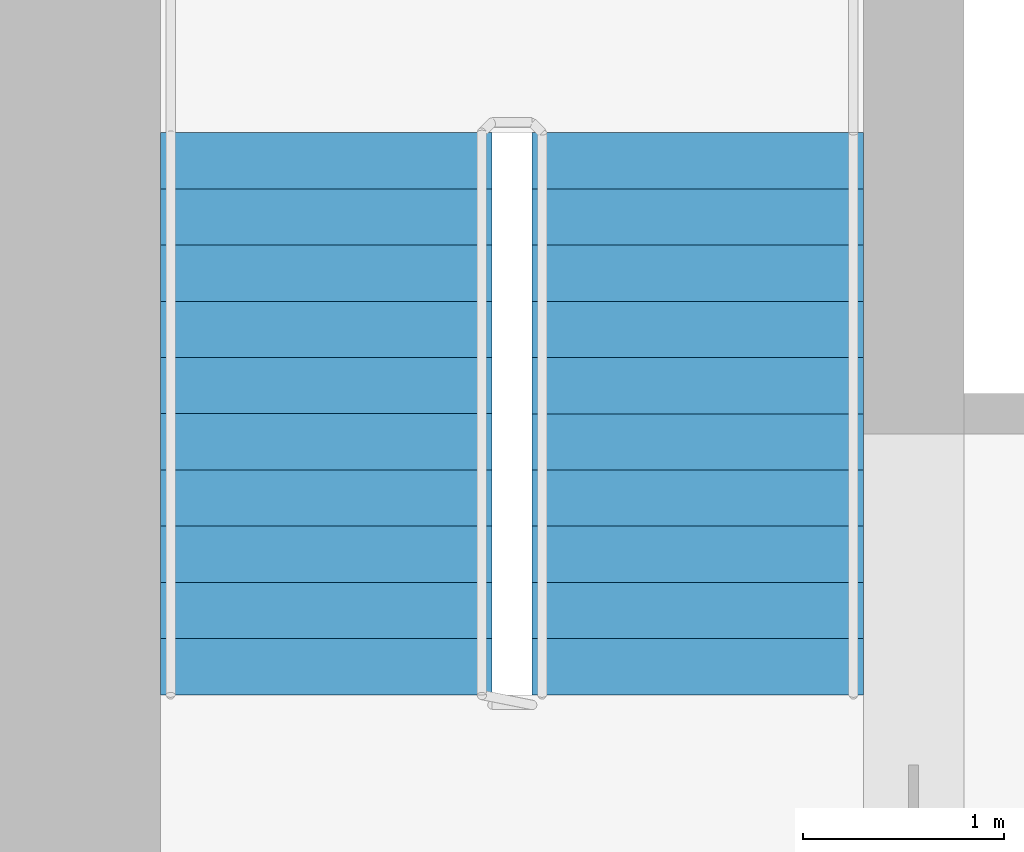
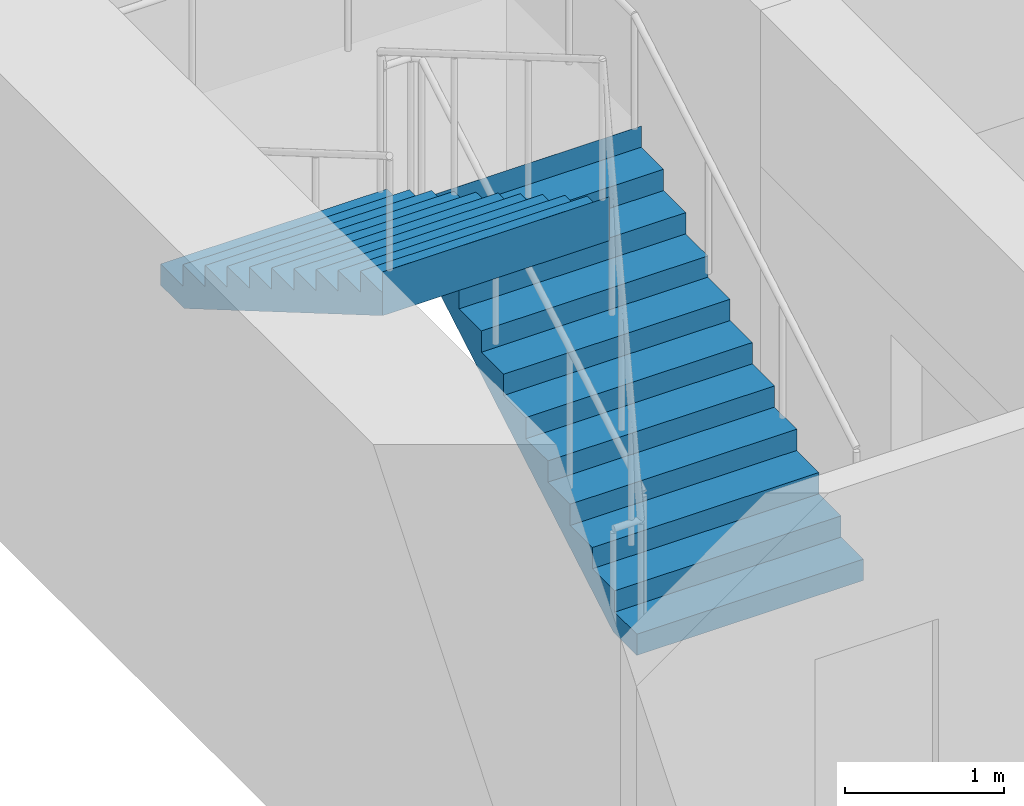
# One storey, part 13 of 14: 2 stair flights, 1 element without a shape of its own.
"""IFC4 building model written with IfcOpenShell, lengths in metres."""

from ifc_helpers import new_model, si_unit, direction, frame, origin, place, context, subcontext, project, spatial, polyline, outline, extrude, material, type_object, element, aggregate, save


model = new_model("IFC4")

# Units and contexts
model_context = context("Model", 3, precision=1e-05, world=origin(), true_north=direction((0.0, 1.0)))
body_context = subcontext(model_context, "Body", "Model", "MODEL_VIEW")
ifc_project = project(units=[si_unit("LENGTHUNIT", "METRE"), si_unit("AREAUNIT", "SQUARE_METRE"), si_unit("VOLUMEUNIT", "CUBIC_METRE"), si_unit("PLANEANGLEUNIT", "RADIAN"), si_unit("MASSUNIT", "GRAM", prefix="KILO")], contexts=[model_context])

# Site, building, storey
site_placement = place(None, origin())
site = spatial("IfcSite", under=ifc_project, at=site_placement, CompositionType="ELEMENT")
building_placement = place(site_placement, origin())
building = spatial("IfcBuilding", under=site, at=building_placement, Name="Tamorin Gate", CompositionType="ELEMENT")
storey_placement = place(building_placement, frame((0.0, 0.0, 100.699951171875)))
storey = spatial("IfcBuildingStorey", under=building, at=storey_placement, Name="L24", CompositionType="ELEMENT", Elevation=100.699951171875)

# Stair, stair flights
ifc_material = material(Name="Concrete C40/50", Category="concrete")
stair_type = type_object("IfcStairType", Name="Exit stair", PredefinedType="HALF_TURN_STAIR", material=ifc_material)
stair_placement = place(storey_placement, origin())
stair = element("IfcStair", 1, at=stair_placement, inside=storey, type_object=stair_type, Name="L24 stair ST2", PredefinedType="HALF_TURN_STAIR")
stair_flight_type = type_object("IfcStairFlightType", Name="Exit stair flight", PredefinedType="STRAIGHT", material=ifc_material)
stair_flight_1_placement = place(storey_placement, frame((33.675048828125, 77.0, 0.0), z_axis=(0.0, 0.0, 1.0), x_axis=(0.0, 1.0, 0.0)))
stair_flight_1 = element("IfcStairFlight", 2, at=stair_flight_1_placement, type_object=stair_flight_type, Name="ST2 flight 1", NumberOfRisers=11, NumberOfTreads=10, PredefinedType="STRAIGHT", RiserHeight=0.163636364, TreadLength=0.28, context=body_context, shape_type="SweptSolid", body=[
    extrude(outline(polyline([(-0.00048828125, 0.0), (-0.00048828125, 0.001708984375), (-0.00048828125, 0.003173828125), (-0.00048828125, 0.0048828125), (-0.00048828125, 0.006591796875), (-0.00048828125, 0.008056640625), (-0.00048828125, 0.009765625), (-0.00048828125, 0.01123046875), (-0.00048828125, 0.012939453125), (-0.00048828125, 0.0146484375), (-0.00048828125, 0.01611328125), (-0.00048828125, 0.017822265625), (-0.00048828125, 0.01953125), (-0.00048828125, 0.02099609375), (-0.00048828125, 0.022705078125), (-0.00048828125, 0.0244140625), (-0.00048828125, 0.02587890625), (-0.00048828125, 0.027587890625), (-0.00048828125, 0.029052734375), (-0.00048828125, 0.03076171875), (-0.00048828125, 0.032470703125), (-0.00048828125, 0.033935546875), (-0.00048828125, 0.03564453125), (-0.00048828125, 0.037353515625), (-0.00048828125, 0.038818359375), (-0.00048828125, 0.04052734375), (-0.00048828125, 0.042236328125), (-0.00048828125, 0.043701171875), (-0.00048828125, 0.04541015625), (-0.00048828125, 0.046875), (-0.00048828125, 0.048583984375), (-0.00048828125, 0.05029296875), (-0.00048828125, 0.0517578125), (-0.00048828125, 0.053466796875), (-0.00048828125, 0.05517578125), (-0.00048828125, 0.056640625), (-0.00048828125, 0.058349609375), (-0.00048828125, 0.06005859375), (-0.00048828125, 0.0615234375), (-0.00048828125, 0.063232421875), (-0.00048828125, 0.064697265625), (-0.00048828125, 0.06640625), (-0.00048828125, 0.068115234375), (-0.00048828125, 0.069580078125), (-0.00048828125, 0.0712890625), (-0.00048828125, 0.072998046875), (-0.00048828125, 0.074462890625), (-0.00048828125, 0.076171875), (-0.00048828125, 0.077880859375), (-0.00048828125, 0.079345703125), (-0.00048828125, 0.0810546875), (-0.00048828125, 0.08251953125), (-0.00048828125, 0.084228515625), (-0.00048828125, 0.0859375), (-0.00048828125, 0.08740234375), (-0.00048828125, 0.089111328125), (-0.00048828125, 0.0908203125), (-0.00048828125, 0.09228515625), (-0.00048828125, 0.093994140625), (-0.00048828125, 0.095703125), (-0.00048828125, 0.09716796875), (-0.00048828125, 0.098876953125), (-0.00048828125, 0.100341796875), (-0.00048828125, 0.10205078125), (-0.00048828125, 0.103759765625), (-0.00048828125, 0.105224609375), (-0.00048828125, 0.10693359375), (-0.00048828125, 0.108642578125), (-0.00048828125, 0.110107421875), (-0.00048828125, 0.11181640625), (-0.00048828125, 0.113525390625), (-0.00048828125, 0.114990234375), (-0.00048828125, 0.11669921875), (-0.00048828125, 0.1181640625), (-0.00048828125, 0.119873046875), (-0.00048828125, 0.12158203125), (-0.00048828125, 0.123046875), (-0.00048828125, 0.124755859375), (-0.00048828125, 0.12646484375), (-0.00048828125, 0.1279296875), (-0.00048828125, 0.129638671875), (-0.00048828125, 0.13134765625), (-0.00048828125, 0.1328125), (-0.00048828125, 0.134521484375), (-0.00048828125, 0.135986328125), (-0.00048828125, 0.1376953125), (-0.00048828125, 0.139404296875), (-0.00048828125, 0.140869140625), (-0.00048828125, 0.142578125), (-0.00048828125, 0.144287109375), (-0.00048828125, 0.145751953125), (-0.00048828125, 0.1474609375), (-0.00048828125, 0.149169921875), (-0.00048828125, 0.150634765625), (-0.00048828125, 0.15234375), (-0.00048828125, 0.15380859375), (-0.00048828125, 0.155517578125), (-0.00048828125, 0.1572265625), (-0.00048828125, 0.15869140625), (-0.00048828125, 0.160400390625), (-0.00048828125, 0.162109375), (-0.00048828125, 0.16357421875), (0.280029296875, 0.16357421875), (0.280029296875, 0.327392578125), (0.56005859375, 0.327392578125), (0.56005859375, 0.490966796875), (0.840087890625, 0.490966796875), (0.840087890625, 0.654541015625), (1.1201171875, 0.654541015625), (1.1201171875, 0.818115234375), (1.39990234375, 0.818115234375), (1.39990234375, 0.98193359375), (1.679931640625, 0.98193359375), (1.679931640625, 1.1455078125), (1.9599609375, 1.1455078125), (1.9599609375, 1.30908203125), (2.239990234375, 1.30908203125), (2.239990234375, 1.47265625), (2.52001953125, 1.47265625), (2.52001953125, 1.636474609375), (2.800048828125, 1.636474609375), (2.800048828125, 1.800048828125), (2.800537109375, 1.800048828125), (2.800537109375, 1.796630859375), (2.800537109375, 1.793212890625), (2.800537109375, 1.7900390625), (2.800537109375, 1.78662109375), (2.800537109375, 1.783203125), (2.800537109375, 1.780029296875), (2.800537109375, 1.776611328125), (2.800537109375, 1.773193359375), (2.800537109375, 1.77001953125), (2.800537109375, 1.7666015625), (2.800537109375, 1.76318359375), (2.800537109375, 1.760009765625), (2.800537109375, 1.756591796875), (2.800537109375, 1.753173828125), (2.800537109375, 1.75), (2.800537109375, 1.74658203125), (2.800537109375, 1.7431640625), (2.800537109375, 1.739990234375), (2.800537109375, 1.736572265625), (2.800537109375, 1.733154296875), (2.800537109375, 1.72998046875), (2.800537109375, 1.7265625), (2.800537109375, 1.72314453125), (2.800537109375, 1.719970703125), (2.800537109375, 1.716552734375), (2.800537109375, 1.713134765625), (2.800537109375, 1.7099609375), (2.800537109375, 1.70654296875), (2.800537109375, 1.703125), (2.800537109375, 1.69970703125), (2.800537109375, 1.696533203125), (2.800537109375, 1.693115234375), (2.800537109375, 1.689697265625), (2.800537109375, 1.6865234375), (2.800537109375, 1.68310546875), (2.800537109375, 1.6796875), (2.800537109375, 1.676513671875), (2.800537109375, 1.673095703125), (2.800537109375, 1.669677734375), (2.800537109375, 1.66650390625), (2.800537109375, 1.6630859375), (2.800537109375, 1.65966796875), (2.800537109375, 1.656494140625), (2.800537109375, 1.653076171875), (2.800537109375, 1.649658203125), (2.800537109375, 1.646484375), (2.800537109375, 1.64306640625), (2.800537109375, 1.6396484375), (2.800537109375, 1.636474609375), (2.800537109375, 1.633056640625), (2.800537109375, 1.629638671875), (2.800537109375, 1.62646484375), (2.800537109375, 1.623046875), (2.800537109375, 1.61962890625), (2.800537109375, 1.616455078125), (2.800537109375, 1.613037109375), (2.800537109375, 1.609619140625), (2.800537109375, 1.6064453125), (2.800537109375, 1.60302734375), (2.800537109375, 1.599609375), (2.800537109375, 1.59619140625), (2.800537109375, 1.593017578125), (2.800537109375, 1.589599609375), (2.800537109375, 1.586181640625), (2.800537109375, 1.5830078125), (2.800537109375, 1.57958984375), (2.800537109375, 1.576171875), (2.800537109375, 1.572998046875), (2.800537109375, 1.569580078125), (2.800537109375, 1.566162109375), (2.800537109375, 1.56298828125), (2.800537109375, 1.5595703125), (2.800537109375, 1.55615234375), (2.800537109375, 1.552978515625), (2.800537109375, 1.549560546875), (2.800537109375, 1.546142578125), (2.800537109375, 1.54296875), (2.800537109375, 1.53955078125), (2.800537109375, 1.5361328125), (2.800537109375, 1.532958984375), (2.800537109375, 1.529541015625), (2.800537109375, 1.526123046875), (2.800537109375, 1.52294921875), (2.800537109375, 1.51953125), (2.800537109375, 1.51611328125), (2.800537109375, 1.512939453125), (2.800537109375, 1.509521484375), (2.800537109375, 1.506103515625), (2.800537109375, 1.5029296875), (2.800537109375, 1.49951171875), (2.800537109375, 1.49609375), (2.800537109375, 1.49267578125), (2.800537109375, 1.489501953125), (2.800537109375, 1.486083984375), (2.800537109375, 1.482666015625), (2.800537109375, 1.4794921875), (2.800537109375, 1.47607421875), (2.800537109375, 1.47265625), (2.800537109375, 1.469482421875), (2.800537109375, 1.466064453125), (2.800537109375, 1.462646484375), (2.800048828125, 1.462646484375), (0.297119140625, 0.0), (-0.00048828125, 0.0)])), frame((0.0, 0.824951171875, 0.0), z_axis=(0.0, -1.0, 0.0), x_axis=(1.0, 0.0, 0.0)), (0.0, 0.0, 1.0), 1.64990234375),
])
stair_flight_2_placement = place(storey_placement, frame((31.824951171875, 79.800048828125, 1.800048828125), z_axis=(0.0, 0.0, 1.0), x_axis=(0.0, -1.0, 0.0)))
stair_flight_2 = element("IfcStairFlight", 3, at=stair_flight_2_placement, type_object=stair_flight_type, Name="ST2 flight 2", NumberOfRisers=11, NumberOfTreads=10, PredefinedType="STRAIGHT", RiserHeight=0.163636364, TreadLength=0.28, context=body_context, shape_type="SweptSolid", body=[
    extrude(outline(polyline([(-0.00048828125, 0.0), (-0.00048828125, 0.001708984375), (-0.00048828125, 0.003173828125), (-0.00048828125, 0.0048828125), (-0.00048828125, 0.006591796875), (-0.00048828125, 0.008056640625), (-0.00048828125, 0.009765625), (-0.00048828125, 0.01123046875), (-0.00048828125, 0.012939453125), (-0.00048828125, 0.0146484375), (-0.00048828125, 0.01611328125), (-0.00048828125, 0.017822265625), (-0.00048828125, 0.01953125), (-0.00048828125, 0.02099609375), (-0.00048828125, 0.022705078125), (-0.00048828125, 0.0244140625), (-0.00048828125, 0.02587890625), (-0.00048828125, 0.027587890625), (-0.00048828125, 0.029052734375), (-0.00048828125, 0.03076171875), (-0.00048828125, 0.032470703125), (-0.00048828125, 0.033935546875), (-0.00048828125, 0.03564453125), (-0.00048828125, 0.037353515625), (-0.00048828125, 0.038818359375), (-0.00048828125, 0.04052734375), (-0.00048828125, 0.042236328125), (-0.00048828125, 0.043701171875), (-0.00048828125, 0.04541015625), (-0.00048828125, 0.046875), (-0.00048828125, 0.048583984375), (-0.00048828125, 0.05029296875), (-0.00048828125, 0.0517578125), (-0.00048828125, 0.053466796875), (-0.00048828125, 0.05517578125), (-0.00048828125, 0.056640625), (-0.00048828125, 0.058349609375), (-0.00048828125, 0.06005859375), (-0.00048828125, 0.0615234375), (-0.00048828125, 0.063232421875), (-0.00048828125, 0.064697265625), (-0.00048828125, 0.06640625), (-0.00048828125, 0.068115234375), (-0.00048828125, 0.069580078125), (-0.00048828125, 0.0712890625), (-0.00048828125, 0.072998046875), (-0.00048828125, 0.074462890625), (-0.00048828125, 0.076171875), (-0.00048828125, 0.077880859375), (-0.00048828125, 0.079345703125), (-0.00048828125, 0.0810546875), (-0.00048828125, 0.08251953125), (-0.00048828125, 0.084228515625), (-0.00048828125, 0.0859375), (-0.00048828125, 0.08740234375), (-0.00048828125, 0.089111328125), (-0.00048828125, 0.0908203125), (-0.00048828125, 0.09228515625), (-0.00048828125, 0.093994140625), (-0.00048828125, 0.095703125), (-0.00048828125, 0.09716796875), (-0.00048828125, 0.098876953125), (-0.00048828125, 0.100341796875), (-0.00048828125, 0.10205078125), (-0.00048828125, 0.103759765625), (-0.00048828125, 0.105224609375), (-0.00048828125, 0.10693359375), (-0.00048828125, 0.108642578125), (-0.00048828125, 0.110107421875), (-0.00048828125, 0.11181640625), (-0.00048828125, 0.113525390625), (-0.00048828125, 0.114990234375), (-0.00048828125, 0.11669921875), (-0.00048828125, 0.1181640625), (-0.00048828125, 0.119873046875), (-0.00048828125, 0.12158203125), (-0.00048828125, 0.123046875), (-0.00048828125, 0.124755859375), (-0.00048828125, 0.12646484375), (-0.00048828125, 0.1279296875), (-0.00048828125, 0.129638671875), (-0.00048828125, 0.13134765625), (-0.00048828125, 0.1328125), (-0.00048828125, 0.134521484375), (-0.00048828125, 0.135986328125), (-0.00048828125, 0.1376953125), (-0.00048828125, 0.139404296875), (-0.00048828125, 0.140869140625), (-0.00048828125, 0.142578125), (-0.00048828125, 0.144287109375), (-0.00048828125, 0.145751953125), (-0.00048828125, 0.1474609375), (-0.00048828125, 0.149169921875), (-0.00048828125, 0.150634765625), (-0.00048828125, 0.15234375), (-0.00048828125, 0.15380859375), (-0.00048828125, 0.155517578125), (-0.00048828125, 0.1572265625), (-0.00048828125, 0.15869140625), (-0.00048828125, 0.160400390625), (-0.00048828125, 0.162109375), (-0.00048828125, 0.16357421875), (0.280029296875, 0.16357421875), (0.280029296875, 0.327392578125), (0.56005859375, 0.327392578125), (0.56005859375, 0.490966796875), (0.840087890625, 0.490966796875), (0.840087890625, 0.654541015625), (1.1201171875, 0.654541015625), (1.1201171875, 0.818115234375), (1.39990234375, 0.818115234375), (1.39990234375, 0.98193359375), (1.679931640625, 0.98193359375), (1.679931640625, 1.1455078125), (1.9599609375, 1.1455078125), (1.9599609375, 1.30908203125), (2.239990234375, 1.30908203125), (2.239990234375, 1.47265625), (2.52001953125, 1.47265625), (2.52001953125, 1.636474609375), (2.800048828125, 1.636474609375), (2.800048828125, 1.800048828125), (2.800537109375, 1.800048828125), (2.800537109375, 1.796630859375), (2.800537109375, 1.793212890625), (2.800537109375, 1.7900390625), (2.800537109375, 1.78662109375), (2.800537109375, 1.783203125), (2.800537109375, 1.780029296875), (2.800537109375, 1.776611328125), (2.800537109375, 1.773193359375), (2.800537109375, 1.77001953125), (2.800537109375, 1.7666015625), (2.800537109375, 1.76318359375), (2.800537109375, 1.760009765625), (2.800537109375, 1.756591796875), (2.800537109375, 1.753173828125), (2.800537109375, 1.75), (2.800537109375, 1.74658203125), (2.800537109375, 1.7431640625), (2.800537109375, 1.739990234375), (2.800537109375, 1.736572265625), (2.800537109375, 1.733154296875), (2.800537109375, 1.72998046875), (2.800537109375, 1.7265625), (2.800537109375, 1.72314453125), (2.800537109375, 1.719970703125), (2.800537109375, 1.716552734375), (2.800537109375, 1.713134765625), (2.800537109375, 1.7099609375), (2.800537109375, 1.70654296875), (2.800537109375, 1.703125), (2.800537109375, 1.69970703125), (2.800537109375, 1.696533203125), (2.800537109375, 1.693115234375), (2.800537109375, 1.689697265625), (2.800537109375, 1.6865234375), (2.800537109375, 1.68310546875), (2.800537109375, 1.6796875), (2.800537109375, 1.676513671875), (2.800537109375, 1.673095703125), (2.800537109375, 1.669677734375), (2.800537109375, 1.66650390625), (2.800537109375, 1.6630859375), (2.800537109375, 1.65966796875), (2.800537109375, 1.656494140625), (2.800537109375, 1.653076171875), (2.800537109375, 1.649658203125), (2.800537109375, 1.646484375), (2.800537109375, 1.64306640625), (2.800537109375, 1.6396484375), (2.800537109375, 1.636474609375), (2.800537109375, 1.633056640625), (2.800537109375, 1.629638671875), (2.800537109375, 1.62646484375), (2.800537109375, 1.623046875), (2.800537109375, 1.61962890625), (2.800537109375, 1.616455078125), (2.800537109375, 1.613037109375), (2.800537109375, 1.609619140625), (2.800537109375, 1.6064453125), (2.800537109375, 1.60302734375), (2.800537109375, 1.599609375), (2.800537109375, 1.59619140625), (2.800537109375, 1.593017578125), (2.800537109375, 1.589599609375), (2.800537109375, 1.586181640625), (2.800537109375, 1.5830078125), (2.800537109375, 1.57958984375), (2.800537109375, 1.576171875), (2.800537109375, 1.572998046875), (2.800537109375, 1.569580078125), (2.800537109375, 1.566162109375), (2.800537109375, 1.56298828125), (2.800537109375, 1.5595703125), (2.800537109375, 1.55615234375), (2.800537109375, 1.552978515625), (2.800537109375, 1.549560546875), (2.800537109375, 1.546142578125), (2.800537109375, 1.54296875), (2.800537109375, 1.53955078125), (2.800537109375, 1.5361328125), (2.800537109375, 1.532958984375), (2.800537109375, 1.529541015625), (2.800537109375, 1.526123046875), (2.800537109375, 1.52294921875), (2.800537109375, 1.51953125), (2.800537109375, 1.51611328125), (2.800537109375, 1.512939453125), (2.800537109375, 1.509521484375), (2.800537109375, 1.506103515625), (2.800537109375, 1.5029296875), (2.800537109375, 1.49951171875), (2.800537109375, 1.49609375), (2.800537109375, 1.49267578125), (2.800537109375, 1.489501953125), (2.800537109375, 1.486083984375), (2.800537109375, 1.482666015625), (2.800537109375, 1.4794921875), (2.800537109375, 1.47607421875), (2.800537109375, 1.47265625), (2.800537109375, 1.469482421875), (2.800537109375, 1.466064453125), (2.800537109375, 1.462646484375), (2.800048828125, 1.462646484375), (0.297119140625, 0.0), (-0.00048828125, 0.0)])), frame((0.0, 0.824951171875, 0.0), z_axis=(0.0, -1.0, 0.0), x_axis=(1.0, 0.0, 0.0)), (0.0, 0.0, 1.0), 1.64990234375),
])
aggregate(stair, [stair_flight_1, stair_flight_2])

save(model, "model.ifc")
